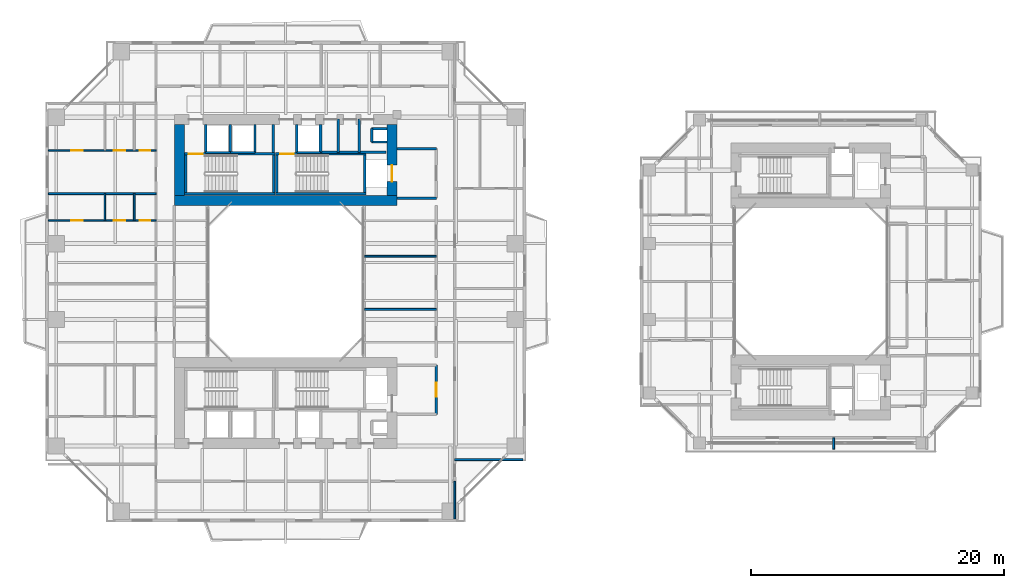
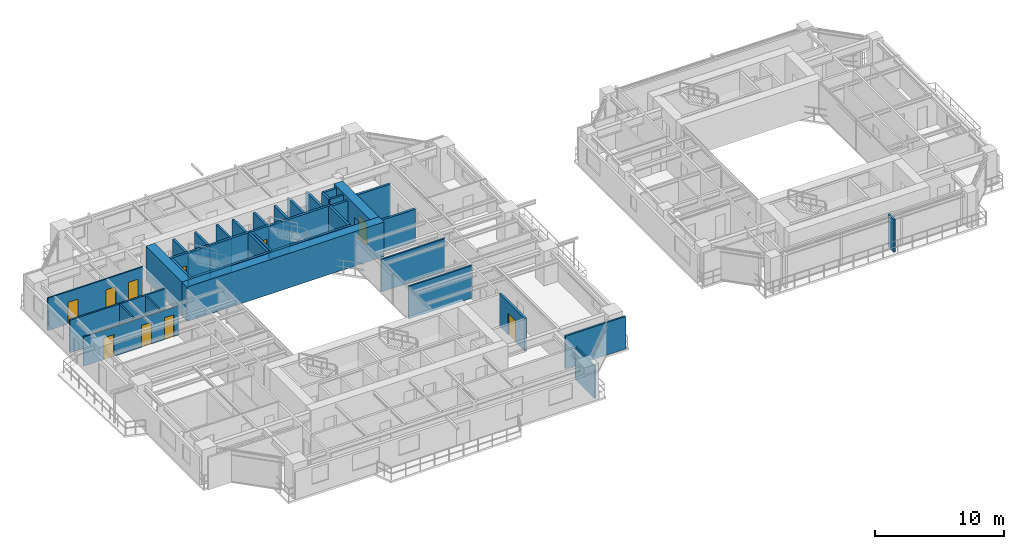
# One storey, part 14 of 23: 39 walls, 10 doors, 10 openings.
"""IFC4 building model written with IfcOpenShell, lengths in metres."""

from ifc_helpers import new_model, si_unit, direction, frame, frame_2d, origin, place, context, subcontext, project, spatial, rectangle, extrude, source, transform, mapped, material, layer, layer_set, type_object, element, fill, save


model = new_model("IFC4")

# Units and contexts
model_context = context("Model", 3, precision=1e-05, world=origin(), true_north=direction((0.0, 1.0)))
body_context = subcontext(model_context, "Body", "Model", "MODEL_VIEW")
ifc_project = project(units=[si_unit("LENGTHUNIT", "METRE"), si_unit("AREAUNIT", "SQUARE_METRE"), si_unit("VOLUMEUNIT", "CUBIC_METRE"), si_unit("PLANEANGLEUNIT", "RADIAN"), si_unit("MASSUNIT", "GRAM", prefix="KILO"), si_unit("THERMODYNAMICTEMPERATUREUNIT", "KELVIN"), si_unit("POWERUNIT", "WATT")], contexts=[model_context])

# Site, building, storey
site_placement = place(None, origin())
site = spatial("IfcSite", under=ifc_project, at=site_placement, CompositionType="ELEMENT")
building_placement = place(site_placement, origin())
building = spatial("IfcBuilding", under=site, at=building_placement, Name="Qiaomeng Ring Towers", CompositionType="ELEMENT")
storey_placement = place(building_placement, frame((0.0, 0.0, 60.0)))
storey = spatial("IfcBuildingStorey", under=building, at=storey_placement, Name="L16", CompositionType="ELEMENT", Elevation=60.0)

# Walls
ifc_material_1 = material(Name="Autoclaved aerated concrete block", Category="concrete")
ifc_layer_1 = layer(ifc_material_1, 0.199951171875, Name="Autoclaved aerated concrete block")
ifc_layer_set_1 = layer_set([ifc_layer_1], Name="Autoclaved aerated concrete block")
wall_type_1 = type_object("IfcWallType", Name="ARC-WL-PW1", PredefinedType="PARTITIONING", material=ifc_layer_set_1)
for number, where, z_axis, x_axis, name in (
    (1, (27.800048828125, 29.60009765625, 0.0), (0.0, 0.0, 1.0), (1.0, 0.0, 0.0), "L16 Interior Wall PW1"),
    (2, (27.800048828125, 33.5, 0.0), (0.0, 0.0, 1.0), (1.0, 0.0, 0.0), "L16 Interior Wall PW1"),
):
    element("IfcWall", number, at=place(storey_placement, frame(where, z_axis=z_axis, x_axis=x_axis)), inside=storey, type_object=wall_type_1, Name=name, PredefinedType="PARTITIONING", context=body_context, shape_type="SweptSolid", body=[
        extrude(rectangle(XDim=3.099853515625, YDim=0.199951171875, at=frame_2d((1.5498046875, 0.0))), origin(), (0.0, 0.0, 1.0), 3.070068359375),
    ])

# Wall, opening, door
wall_1_placement = place(storey_placement, frame((30.89990234375, 12.5, 0.0), z_axis=(0.0, 0.0, 1.0), x_axis=(0.0, 1.0, 0.0)))
wall_1 = element("IfcWall", 3, at=wall_1_placement, inside=storey, type_object=wall_type_1, Name="L16 Interior Wall PW1", PredefinedType="PARTITIONING", context=body_context, shape_type="SweptSolid", body=[
    extrude(rectangle(XDim=3.89990234375, YDim=0.199951171875, at=frame_2d((1.949951171875, 0.0))), origin(), (0.0, 0.0, 1.0), 3.070068359375),
])
opening_1_placement = place(wall_1_placement, frame((1.39990234375, 0.0, 0.0)))
opening_1 = element("IfcOpeningElement", 4, at=opening_1_placement, cuts=wall_1, Name="Opening FD3", PredefinedType="OPENING", context=body_context, shape_type="SweptSolid", body=[
    extrude(rectangle(XDim=1.10009765625, YDim=2.050048828125, at=frame_2d((0.550048828125, 1.02490234375))), frame((0.0, 0.10986328125, 0.0), z_axis=(0.0, -1.0, 0.0), x_axis=(1.0, 0.0, 0.0)), (0.0, 0.0, 1.0), 0.219970703125),
])
ifc_material_2 = material(Name="Galvanised steel", Category="steel")
door_type_1 = type_object("IfcDoorType", Name="ARC-DR-FD3", OperationType="NOTDEFINED", PredefinedType="DOOR", material=ifc_material_2)
shared_shape_1 = source(origin(), body_context, "Body", "SweptSolid", [
    extrude(rectangle(XDim=1.10009765625, YDim=2.050048828125, at=frame_2d((0.550048828125, 1.02490234375))), frame((0.0, 0.02490234375, 0.0), z_axis=(0.0, -1.0, 0.0), x_axis=(1.0, 0.0, 0.0)), (0.0, 0.0, 1.0), 0.050048828125),
])
door_1_placement = place(opening_1_placement, origin())
door_1 = element("IfcDoor", 5, at=door_1_placement, inside=storey, type_object=door_type_1, Name="L16 South FF Lobby Door", OperationType="SINGLE_SWING_LEFT", OverallHeight=2.050048828125, OverallWidth=1.10009765625, PredefinedType="DOOR", context=body_context, shape_type="MappedRepresentation", body=[
    mapped(shared_shape_1, transform((0.0, 0.0, 0.0), x_axis=(1.0, 0.0, 0.0), y_axis=(0.0, 1.0, 0.0), z_axis=(0.0, 0.0, 1.0), scale=1.0)),
])
fill(opening_1, door_1)

# Walls
for number, where, z_axis, x_axis, name in (
    (6, (12.679931640625, 33.18994140625, 0.0), (0.0, 0.0, 1.0), (0.0, 1.0, 0.0), "L16 Interior Wall PW1"),
    (7, (18.0, 33.18994140625, 0.0), (0.0, 0.0, 1.0), (0.0, 1.0, 0.0), "L16 Interior Wall PW1"),
    (8, (19.8798828125, 33.18994140625, 0.0), (0.0, 0.0, 1.0), (0.0, 1.0, 0.0), "L16 Interior Wall PW1"),
):
    element("IfcWall", number, at=place(storey_placement, frame(where, z_axis=z_axis, x_axis=x_axis)), inside=storey, type_object=wall_type_1, Name=name, PredefinedType="PARTITIONING", context=body_context, shape_type="SweptSolid", body=[
        extrude(rectangle(XDim=2.2099609375, YDim=0.199951171875, at=frame_2d((1.10498046875, 0.0))), origin(), (0.0, 0.0, 1.0), 3.070068359375),
    ])
wall_2_placement = place(storey_placement, frame((24.820068359375, 33.199951171875, 0.0), z_axis=(0.0, 0.0, 1.0), x_axis=(0.0, 1.0, 0.0)))
element("IfcWall", 9, at=wall_2_placement, inside=storey, type_object=wall_type_1, Name="L16 Interior Wall PW1", PredefinedType="PARTITIONING", context=body_context, shape_type="SweptSolid", body=[
    extrude(rectangle(XDim=2.650146484375, YDim=0.199951171875, at=frame_2d((1.3251953125, 0.0))), origin(), (0.0, 0.0, 1.0), 3.070068359375),
])
wall_3_placement = place(storey_placement, frame((21.75, 33.199951171875, 0.0), z_axis=(0.0, 0.0, 1.0), x_axis=(0.0, 1.0, 0.0)))
element("IfcWall", 10, at=wall_3_placement, inside=storey, type_object=wall_type_1, Name="L16 Interior Wall PW1", PredefinedType="PARTITIONING", context=body_context, shape_type="SweptSolid", body=[
    extrude(rectangle(XDim=2.199951171875, YDim=0.199951171875, at=frame_2d((1.10009765625, 0.0))), origin(), (0.0, 0.0, 1.0), 3.070068359375),
])
wall_4_placement = place(storey_placement, frame((23.169921875, 33.199951171875, 0.0), z_axis=(0.0, 0.0, 1.0), x_axis=(0.0, 1.0, 0.0)))
element("IfcWall", 11, at=wall_4_placement, inside=storey, type_object=wall_type_1, Name="L16 Interior Wall PW1", PredefinedType="PARTITIONING", context=body_context, shape_type="SweptSolid", body=[
    extrude(rectangle(XDim=2.650146484375, YDim=0.199951171875, at=frame_2d((1.3251953125, 0.0))), origin(), (0.0, 0.0, 1.0), 3.070068359375),
])
wall_5_placement = place(storey_placement, frame((21.75, 33.199951171875, 0.0), z_axis=(0.0, 0.0, 1.0), x_axis=(1.0, 0.0, 0.0)))
element("IfcWall", 12, at=wall_5_placement, inside=storey, type_object=wall_type_1, Name="L16 Interior Wall PW1", PredefinedType="PARTITIONING", context=body_context, shape_type="SweptSolid", body=[
    extrude(rectangle(XDim=5.169921875, YDim=0.199951171875, at=frame_2d((2.5849609375, 0.0))), origin(), (0.0, 0.0, 1.0), 3.070068359375),
])
ifc_material_3 = material(Name="Gypsum fireboard steel-stud partition", Category="steel")
ifc_layer_2 = layer(ifc_material_3, 0.14990234375, Name="Gypsum fireboard steel-stud partition")
ifc_layer_set_2 = layer_set([ifc_layer_2], Name="Gypsum fireboard steel-stud partition")
wall_type_2 = type_object("IfcWallType", Name="ARC-WL-PW3", PredefinedType="PARTITIONING", material=ifc_layer_set_2)
wall_6_placement = place(storey_placement, frame((32.360107421875, 4.25, 0.0), z_axis=(0.0, 0.0, 1.0), x_axis=(0.0, 1.0, 0.0)))
element("IfcWall", 13, at=wall_6_placement, inside=storey, type_object=wall_type_2, Name="L16 Interior Wall PW3", PredefinedType="PARTITIONING", context=body_context, shape_type="SweptSolid", body=[
    extrude(rectangle(XDim=2.9599609375, YDim=0.14990234375, at=frame_2d((1.47998046875, 0.0))), origin(), (0.0, 0.0, 1.0), 3.070068359375),
])
wall_7_placement = place(storey_placement, frame((0.25, 29.949951171875, 0.0), z_axis=(0.0, 0.0, 1.0), x_axis=(1.0, 0.0, 0.0)))
element("IfcWall", 14, at=wall_7_placement, inside=storey, type_object=wall_type_2, Name="L16 Interior Wall PW3", PredefinedType="PARTITIONING", context=body_context, shape_type="SweptSolid", body=[
    extrude(rectangle(XDim=8.5, YDim=0.14990234375, at=frame_2d((4.25, 0.0))), origin(), (0.0, 0.0, 1.0), 3.070068359375),
])
wall_8_placement = place(storey_placement, frame((32.360107421875, 8.919921875, 0.0), z_axis=(0.0, 0.0, 1.0), x_axis=(1.0, 0.0, 0.0)))
element("IfcWall", 15, at=wall_8_placement, inside=storey, type_object=wall_type_2, Name="L16 Interior Wall PW3", PredefinedType="PARTITIONING", context=body_context, shape_type="SweptSolid", body=[
    extrude(rectangle(XDim=5.389892578125, YDim=0.14990234375, at=frame_2d((2.69482421875, 0.0))), origin(), (0.0, 0.0, 1.0), 3.070068359375),
])
for number, where, z_axis, x_axis, name in (
    (16, (25.219970703125, 20.800048828125, 0.0), (0.0, 0.0, 1.0), (1.0, 0.0, 0.0), "L16 Interior Wall PW3"),
    (17, (25.219970703125, 25.0, 0.0), (0.0, 0.0, 1.0), (1.0, 0.0, 0.0), "L16 Interior Wall PW3"),
):
    element("IfcWall", number, at=place(storey_placement, frame(where, z_axis=z_axis, x_axis=x_axis)), inside=storey, type_object=wall_type_2, Name=name, PredefinedType="PARTITIONING", context=body_context, shape_type="SweptSolid", body=[
        extrude(rectangle(XDim=5.679931640625, YDim=0.14990234375, at=frame_2d((2.83984375, 0.0))), origin(), (0.0, 0.0, 1.0), 3.070068359375),
    ])
wall_9_placement = place(storey_placement, frame((62.300048828125, 9.75, 0.0), z_axis=(0.0, 0.0, 1.0), x_axis=(0.0, 1.0, 0.0)))
element("IfcWall", 18, at=wall_9_placement, inside=storey, type_object=wall_type_2, Name="L16 Interior Wall PW3", PredefinedType="PARTITIONING", context=body_context, shape_type="SweptSolid", body=[
    extrude(rectangle(XDim=0.89990234375, YDim=0.14990234375, at=frame_2d((0.449951171875, 0.0))), origin(), (0.0, 0.0, 1.0), 3.070068359375),
])

# Wall, openings, doors
ifc_material_4 = material(Name="Moisture-resistant gypsum steel-stud partition", Category="steel")
ifc_layer_3 = layer(ifc_material_4, 0.1201171875, Name="Moisture-resistant gypsum steel-stud partition")
ifc_layer_set_3 = layer_set([ifc_layer_3], Name="Moisture-resistant gypsum steel-stud partition")
wall_type_3 = type_object("IfcWallType", Name="ARC-WL-PW4", PredefinedType="PLUMBINGWALL", material=ifc_layer_set_3)
wall_10_placement = place(storey_placement, frame((0.25, 27.830078125, 0.0), z_axis=(0.0, 0.0, 1.0), x_axis=(1.0, 0.0, 0.0)))
wall_10 = element("IfcWall", 19, at=wall_10_placement, inside=storey, type_object=wall_type_3, Name="L16 Interior Wall PW4", PredefinedType="PLUMBINGWALL", context=body_context, shape_type="SweptSolid", body=[
    extrude(rectangle(XDim=8.5, YDim=0.1201171875, at=frame_2d((4.25, 0.0))), origin(), (0.0, 0.0, 1.0), 2.764892578125),
])
opening_2_placement = place(wall_10_placement, frame((1.7900390625, 0.0, 0.0)))
opening_2 = element("IfcOpeningElement", 20, at=opening_2_placement, cuts=wall_10, Name="Opening ID1", PredefinedType="OPENING", context=body_context, shape_type="SweptSolid", body=[
    extrude(rectangle(XDim=0.89990234375, YDim=2.050048828125, at=frame_2d((0.449951171875, 1.02490234375))), frame((0.0, 0.070068359375, 0.0), z_axis=(0.0, -1.0, 0.0), x_axis=(1.0, 0.0, 0.0)), (0.0, 0.0, 1.0), 0.14013671875),
])
opening_3_placement = place(wall_10_placement, frame((5.169921875, 0.0, 0.0)))
opening_3 = element("IfcOpeningElement", 21, at=opening_3_placement, cuts=wall_10, Name="Opening ID1", PredefinedType="OPENING", context=body_context, shape_type="SweptSolid", body=[
    extrude(rectangle(XDim=0.89990234375, YDim=2.050048828125, at=frame_2d((0.449951171875, 1.02490234375))), frame((0.0, 0.070068359375, 0.0), z_axis=(0.0, -1.0, 0.0), x_axis=(1.0, 0.0, 0.0)), (0.0, 0.0, 1.0), 0.14013671875),
])
opening_4_placement = place(wall_10_placement, frame((7.205078125, 0.0, 0.0)))
opening_4 = element("IfcOpeningElement", 22, at=opening_4_placement, cuts=wall_10, Name="Opening ID2", PredefinedType="OPENING", context=body_context, shape_type="SweptSolid", body=[
    extrude(rectangle(XDim=0.85009765625, YDim=2.050048828125, at=frame_2d((0.425048828125, 1.02490234375))), frame((0.0, 0.070068359375, 0.0), z_axis=(0.0, -1.0, 0.0), x_axis=(1.0, 0.0, 0.0)), (0.0, 0.0, 1.0), 0.14013671875),
])
ifc_material_5 = material(Name="Moisture-resistant engineered timber", Category="wood")
door_type_2 = type_object("IfcDoorType", Name="ARC-DR-ID2", OperationType="NOTDEFINED", PredefinedType="DOOR", material=ifc_material_5)
shared_shape_2 = source(origin(), body_context, "Body", "SweptSolid", [
    extrude(rectangle(XDim=0.85009765625, YDim=2.050048828125, at=frame_2d((0.425048828125, 1.02490234375))), frame((0.0, 0.02490234375, 0.0), z_axis=(0.0, -1.0, 0.0), x_axis=(1.0, 0.0, 0.0)), (0.0, 0.0, 1.0), 0.050048828125),
])
door_2_placement = place(opening_4_placement, origin())
door_2 = element("IfcDoor", 23, at=door_2_placement, inside=storey, type_object=door_type_2, Name="L16 Door ID2", OperationType="SINGLE_SWING_RIGHT", OverallHeight=2.050048828125, OverallWidth=0.85009765625, PredefinedType="DOOR", context=body_context, shape_type="MappedRepresentation", body=[
    mapped(shared_shape_2, transform((0.0, 0.0, 0.0), x_axis=(1.0, 0.0, 0.0), y_axis=(0.0, 1.0, 0.0), z_axis=(0.0, 0.0, 1.0), scale=1.0)),
])
fill(opening_4, door_2)
ifc_material_6 = material(Name="Engineered oak timber", Category="wood")
door_type_3 = type_object("IfcDoorType", Name="ARC-DR-ID1", OperationType="NOTDEFINED", PredefinedType="DOOR", material=ifc_material_6)
shared_shape_3 = source(origin(), body_context, "Body", "SweptSolid", [
    extrude(rectangle(XDim=0.89990234375, YDim=2.050048828125, at=frame_2d((0.449951171875, 1.02490234375))), frame((0.0, 0.02490234375, 0.0), z_axis=(0.0, -1.0, 0.0), x_axis=(1.0, 0.0, 0.0)), (0.0, 0.0, 1.0), 0.050048828125),
])
door_3_placement = place(opening_2_placement, origin())
door_3 = element("IfcDoor", 24, at=door_3_placement, inside=storey, type_object=door_type_3, Name="L16 Door ID1", OperationType="SINGLE_SWING_RIGHT", OverallHeight=2.050048828125, OverallWidth=0.89990234375, PredefinedType="DOOR", context=body_context, shape_type="MappedRepresentation", body=[
    mapped(shared_shape_3, transform((0.0, 0.0, 0.0), x_axis=(1.0, 0.0, 0.0), y_axis=(0.0, 1.0, 0.0), z_axis=(0.0, 0.0, 1.0), scale=1.0)),
])
fill(opening_2, door_3)
door_4_placement = place(opening_3_placement, origin())
door_4 = element("IfcDoor", 25, at=door_4_placement, inside=storey, type_object=door_type_3, Name="L16 Door ID1", OperationType="SINGLE_SWING_LEFT", OverallHeight=2.050048828125, OverallWidth=0.89990234375, PredefinedType="DOOR", context=body_context, shape_type="MappedRepresentation", body=[
    mapped(shared_shape_3, transform((0.0, 0.0, 0.0), x_axis=(1.0, 0.0, 0.0), y_axis=(0.0, 1.0, 0.0), z_axis=(0.0, 0.0, 1.0), scale=1.0)),
])
fill(opening_3, door_4)

# Walls
for number, where, z_axis, x_axis, name in (
    (26, (4.7099609375, 27.830078125, 0.0), (0.0, 0.0, 1.0), (0.0, 1.0, 0.0), "L16 Interior Wall PW4"),
    (27, (7.030029296875, 27.830078125, 0.0), (0.0, 0.0, 1.0), (0.0, 1.0, 0.0), "L16 Interior Wall PW4"),
):
    element("IfcWall", number, at=place(storey_placement, frame(where, z_axis=z_axis, x_axis=x_axis)), inside=storey, type_object=wall_type_3, Name=name, PredefinedType="PLUMBINGWALL", context=body_context, shape_type="SweptSolid", body=[
        extrude(rectangle(XDim=2.119873046875, YDim=0.1201171875, at=frame_2d((1.06005859375, 0.0))), origin(), (0.0, 0.0, 1.0), 3.070068359375),
    ])

# Wall, openings, doors
wall_11_placement = place(storey_placement, frame((0.25, 33.3701171875, 0.0), z_axis=(0.0, 0.0, 1.0), x_axis=(1.0, 0.0, 0.0)))
wall_11 = element("IfcWall", 28, at=wall_11_placement, inside=storey, type_object=wall_type_3, Name="L16 Interior Wall PW4", PredefinedType="PLUMBINGWALL", context=body_context, shape_type="SweptSolid", body=[
    extrude(rectangle(XDim=8.5, YDim=0.1201171875, at=frame_2d((4.25, 0.0))), origin(), (0.0, 0.0, 1.0), 3.070068359375),
])
opening_5_placement = place(wall_11_placement, frame((1.7900390625, 0.0, 0.0)))
opening_5 = element("IfcOpeningElement", 29, at=opening_5_placement, cuts=wall_11, Name="Opening ID1", PredefinedType="OPENING", context=body_context, shape_type="SweptSolid", body=[
    extrude(rectangle(XDim=0.89990234375, YDim=2.050048828125, at=frame_2d((0.449951171875, 1.02490234375))), frame((0.0, 0.070068359375, 0.0), z_axis=(0.0, -1.0, 0.0), x_axis=(1.0, 0.0, 0.0)), (0.0, 0.0, 1.0), 0.14013671875),
])
opening_6_placement = place(wall_11_placement, frame((5.169921875, 0.0, 0.0)))
opening_6 = element("IfcOpeningElement", 30, at=opening_6_placement, cuts=wall_11, Name="Opening ID1", PredefinedType="OPENING", context=body_context, shape_type="SweptSolid", body=[
    extrude(rectangle(XDim=0.89990234375, YDim=2.050048828125, at=frame_2d((0.449951171875, 1.02490234375))), frame((0.0, 0.070068359375, 0.0), z_axis=(0.0, -1.0, 0.0), x_axis=(1.0, 0.0, 0.0)), (0.0, 0.0, 1.0), 0.14013671875),
])
opening_7_placement = place(wall_11_placement, frame((7.205078125, 0.0, 0.0)))
opening_7 = element("IfcOpeningElement", 31, at=opening_7_placement, cuts=wall_11, Name="Opening ID2", PredefinedType="OPENING", context=body_context, shape_type="SweptSolid", body=[
    extrude(rectangle(XDim=0.85009765625, YDim=2.050048828125, at=frame_2d((0.425048828125, 1.02490234375))), frame((0.0, 0.070068359375, 0.0), z_axis=(0.0, -1.0, 0.0), x_axis=(1.0, 0.0, 0.0)), (0.0, 0.0, 1.0), 0.14013671875),
])
door_5_placement = place(opening_7_placement, origin())
door_5 = element("IfcDoor", 32, at=door_5_placement, inside=storey, type_object=door_type_2, Name="L16 Door ID2", OperationType="SINGLE_SWING_RIGHT", OverallHeight=2.050048828125, OverallWidth=0.85009765625, PredefinedType="DOOR", context=body_context, shape_type="MappedRepresentation", body=[
    mapped(shared_shape_2, transform((0.0, 0.0, 0.0), x_axis=(1.0, 0.0, 0.0), y_axis=(0.0, 1.0, 0.0), z_axis=(0.0, 0.0, 1.0), scale=1.0)),
])
fill(opening_7, door_5)
door_6_placement = place(opening_5_placement, origin())
door_6 = element("IfcDoor", 33, at=door_6_placement, inside=storey, type_object=door_type_3, Name="L16 Door ID1", OperationType="SINGLE_SWING_RIGHT", OverallHeight=2.050048828125, OverallWidth=0.89990234375, PredefinedType="DOOR", context=body_context, shape_type="MappedRepresentation", body=[
    mapped(shared_shape_3, transform((0.0, 0.0, 0.0), x_axis=(1.0, 0.0, 0.0), y_axis=(0.0, 1.0, 0.0), z_axis=(0.0, 0.0, 1.0), scale=1.0)),
])
fill(opening_5, door_6)
door_7_placement = place(opening_6_placement, origin())
door_7 = element("IfcDoor", 34, at=door_7_placement, inside=storey, type_object=door_type_3, Name="L16 Door ID1", OperationType="SINGLE_SWING_LEFT", OverallHeight=2.050048828125, OverallWidth=0.89990234375, PredefinedType="DOOR", context=body_context, shape_type="MappedRepresentation", body=[
    mapped(shared_shape_3, transform((0.0, 0.0, 0.0), x_axis=(1.0, 0.0, 0.0), y_axis=(0.0, 1.0, 0.0), z_axis=(0.0, 0.0, 1.0), scale=1.0)),
])
fill(opening_6, door_7)

# Walls
ifc_material_7 = material(Name="Concrete C40", Category="concrete")
ifc_layer_4 = layer(ifc_material_7, 0.199951171875, Name="Concrete C40")
ifc_layer_set_4 = layer_set([ifc_layer_4], Name="Concrete C40")
wall_type_4 = type_object("IfcWallType", Name="STR-WL-STSHAFT", PredefinedType="SHEAR", material=ifc_layer_set_4)
wall_12_placement = place(storey_placement, frame((12.679931640625, 33.199951171875, 0.0), z_axis=(0.0, 0.0, 1.0), x_axis=(1.0, 0.0, 0.0)))
element("IfcWall", 35, at=wall_12_placement, inside=storey, type_object=wall_type_4, Name="L16 Lift LP5 Shaft Back Wall", PredefinedType="SHEAR", context=body_context, shape_type="SweptSolid", body=[
    extrude(rectangle(XDim=1.940185546875, YDim=0.179931640625, at=frame_2d((0.97021484375, 0.0))), origin(), (0.0, 0.0, 1.0), 3.070068359375),
])
wall_13_placement = place(storey_placement, frame((14.6201171875, 33.199951171875, 0.0), z_axis=(0.0, 0.0, 1.0), x_axis=(0.0, 1.0, 0.0)))
element("IfcWall", 36, at=wall_13_placement, inside=storey, type_object=wall_type_4, Name="L16 Lift LP5-LP3 Shaft Divider Wall", PredefinedType="SHEAR", context=body_context, shape_type="SweptSolid", body=[
    extrude(rectangle(XDim=2.199951171875, YDim=0.179931640625, at=frame_2d((1.10009765625, 0.0))), origin(), (0.0, 0.0, 1.0), 3.070068359375),
])
wall_14_placement = place(storey_placement, frame((25.800048828125, 34.02001953125, 0.0), z_axis=(0.0, 0.0, 1.0), x_axis=(0.0, 1.0, 0.0)))
element("IfcWall", 37, at=wall_14_placement, inside=storey, type_object=wall_type_4, Name="L16 Riser RSR1 West Shaft Wall N", PredefinedType="SHEAR", context=body_context, shape_type="SweptSolid", body=[
    extrude(rectangle(XDim=1.06005859375, YDim=0.179931640625, at=frame_2d((0.530029296875, 0.0))), origin(), (0.0, 0.0, 1.0), 3.070068359375),
])
for number, where, z_axis, x_axis, name in (
    (38, (25.800048828125, 35.080078125, 0.0), (0.0, 0.0, 1.0), (1.0, 0.0, 0.0), "L16 Riser RSR1 North Shaft Wall N"),
    (39, (25.800048828125, 34.02001953125, 0.0), (0.0, 0.0, 1.0), (1.0, 0.0, 0.0), "L16 Riser RSR1 South Shaft Wall N"),
):
    element("IfcWall", number, at=place(storey_placement, frame(where, z_axis=z_axis, x_axis=x_axis)), inside=storey, type_object=wall_type_4, Name=name, PredefinedType="SHEAR", context=body_context, shape_type="SweptSolid", body=[
        extrude(rectangle(XDim=1.199951171875, YDim=0.179931640625, at=frame_2d((0.60009765625, 0.0))), origin(), (0.0, 0.0, 1.0), 3.070068359375),
    ])
wall_15_placement = place(storey_placement, frame((14.6201171875, 33.199951171875, 0.0), z_axis=(0.0, 0.0, 1.0), x_axis=(1.0, 0.0, 0.0)))
element("IfcWall", 40, at=wall_15_placement, inside=storey, type_object=wall_type_4, Name="L16 Lift LP3 Shaft Back Wall", PredefinedType="SHEAR", context=body_context, shape_type="SweptSolid", body=[
    extrude(rectangle(XDim=1.9599609375, YDim=0.179931640625, at=frame_2d((0.97998046875, 0.0))), origin(), (0.0, 0.0, 1.0), 3.070068359375),
])
wall_16_placement = place(storey_placement, frame((16.580078125, 33.199951171875, 0.0), z_axis=(0.0, 0.0, 1.0), x_axis=(0.0, 1.0, 0.0)))
element("IfcWall", 41, at=wall_16_placement, inside=storey, type_object=wall_type_4, Name="L16 Lift LP3 East Shaft Wall", PredefinedType="SHEAR", context=body_context, shape_type="SweptSolid", body=[
    extrude(rectangle(XDim=2.199951171875, YDim=0.179931640625, at=frame_2d((1.10009765625, 0.0))), origin(), (0.0, 0.0, 1.0), 3.070068359375),
])
wall_17_placement = place(storey_placement, frame((19.8798828125, 33.199951171875, 0.0), z_axis=(0.0, 0.0, 1.0), x_axis=(1.0, 0.0, 0.0)))
element("IfcWall", 42, at=wall_17_placement, inside=storey, type_object=wall_type_4, Name="L16 Lift LP1 Shaft Back Wall", PredefinedType="SHEAR", context=body_context, shape_type="SweptSolid", body=[
    extrude(rectangle(XDim=1.8701171875, YDim=0.179931640625, at=frame_2d((0.93505859375, 0.0))), origin(), (0.0, 0.0, 1.0), 3.070068359375),
])
wall_18_placement = place(storey_placement, frame((11.0, 29.949951171875, 0.0), z_axis=(0.0, 0.0, 1.0), x_axis=(1.0, 0.0, 0.0)))
element("IfcWall", 43, at=wall_18_placement, inside=storey, type_object=wall_type_4, Name="L16 Stair ST1 South Shaft Shear Wall", PredefinedType="SHEAR", context=body_context, shape_type="SweptSolid", body=[
    extrude(rectangle(XDim=7.14990234375, YDim=0.199951171875, at=frame_2d((3.574951171875, 0.0))), origin(), (0.0, 0.0, 1.0), 3.25),
])

# Wall, opening, door
wall_19_placement = place(storey_placement, frame((11.0, 33.090087890625, 0.0), z_axis=(0.0, 0.0, 1.0), x_axis=(1.0, 0.0, 0.0)))
wall_19 = element("IfcWall", 44, at=wall_19_placement, inside=storey, type_object=wall_type_4, Name="L16 Stair ST1 North Shaft Shear Wall", PredefinedType="SHEAR", context=body_context, shape_type="SweptSolid", body=[
    extrude(rectangle(XDim=7.14990234375, YDim=0.199951171875, at=frame_2d((3.574951171875, 0.0))), origin(), (0.0, 0.0, 1.0), 3.25),
])
opening_8_placement = place(wall_19_placement, frame((0.35009765625, 0.0, 0.0)))
opening_8 = element("IfcOpeningElement", 45, at=opening_8_placement, cuts=wall_19, Name="Opening FD3", PredefinedType="OPENING", context=body_context, shape_type="SweptSolid", body=[
    extrude(rectangle(XDim=1.10009765625, YDim=2.050048828125, at=frame_2d((0.550048828125, 1.02490234375))), frame((0.0, 0.10986328125, 0.0), z_axis=(0.0, -1.0, 0.0), x_axis=(1.0, 0.0, 0.0)), (0.0, 0.0, 1.0), 0.219970703125),
])
door_8_placement = place(opening_8_placement, origin())
door_8 = element("IfcDoor", 46, at=door_8_placement, inside=storey, type_object=door_type_1, Name="L16 Stair ST1 Exit Door", OperationType="SINGLE_SWING_LEFT", OverallHeight=2.050048828125, OverallWidth=1.10009765625, PredefinedType="DOOR", context=body_context, shape_type="MappedRepresentation", body=[
    mapped(shared_shape_1, transform((0.0, 0.0, 0.0), x_axis=(1.0, 0.0, 0.0), y_axis=(0.0, 1.0, 0.0), z_axis=(0.0, 0.0, 1.0), scale=1.0)),
])
fill(opening_8, door_8)

# Walls
for number, where, z_axis, x_axis, name in (
    (47, (11.10009765625, 30.050048828125, 0.0), (0.0, 0.0, 1.0), (0.0, 1.0, 0.0), "L16 Stair ST1 West Shaft Shear Wall"),
    (48, (18.050048828125, 30.050048828125, 0.0), (0.0, 0.0, 1.0), (0.0, 1.0, 0.0), "L16 Stair ST1 East Shaft Shear Wall"),
):
    element("IfcWall", number, at=place(storey_placement, frame(where, z_axis=z_axis, x_axis=x_axis)), inside=storey, type_object=wall_type_4, Name=name, PredefinedType="SHEAR", context=body_context, shape_type="SweptSolid", body=[
        extrude(rectangle(XDim=2.93994140625, YDim=0.199951171875, at=frame_2d((1.469970703125, 0.0))), origin(), (0.0, 0.0, 1.0), 3.25),
    ])
wall_20_placement = place(storey_placement, frame((18.199951171875, 29.949951171875, 0.0), z_axis=(0.0, 0.0, 1.0), x_axis=(1.0, 0.0, 0.0)))
element("IfcWall", 49, at=wall_20_placement, inside=storey, type_object=wall_type_4, Name="L16 Stair ST2 South Shaft Shear Wall", PredefinedType="SHEAR", context=body_context, shape_type="SweptSolid", body=[
    extrude(rectangle(XDim=7.150146484375, YDim=0.199951171875, at=frame_2d((3.5751953125, 0.0))), origin(), (0.0, 0.0, 1.0), 3.25),
])

# Wall, opening, door
wall_21_placement = place(storey_placement, frame((18.199951171875, 33.090087890625, 0.0), z_axis=(0.0, 0.0, 1.0), x_axis=(1.0, 0.0, 0.0)))
wall_21 = element("IfcWall", 50, at=wall_21_placement, inside=storey, type_object=wall_type_4, Name="L16 Stair ST2 North Shaft Shear Wall", PredefinedType="SHEAR", context=body_context, shape_type="SweptSolid", body=[
    extrude(rectangle(XDim=7.150146484375, YDim=0.199951171875, at=frame_2d((3.5751953125, 0.0))), origin(), (0.0, 0.0, 1.0), 3.25),
])
opening_9_placement = place(wall_21_placement, frame((0.35009765625, 0.0, 0.0)))
opening_9 = element("IfcOpeningElement", 51, at=opening_9_placement, cuts=wall_21, Name="Opening FD3", PredefinedType="OPENING", context=body_context, shape_type="SweptSolid", body=[
    extrude(rectangle(XDim=1.10009765625, YDim=2.050048828125, at=frame_2d((0.550048828125, 1.02490234375))), frame((0.0, 0.10986328125, 0.0), z_axis=(0.0, -1.0, 0.0), x_axis=(1.0, 0.0, 0.0)), (0.0, 0.0, 1.0), 0.219970703125),
])
door_9_placement = place(opening_9_placement, origin())
door_9 = element("IfcDoor", 52, at=door_9_placement, inside=storey, type_object=door_type_1, Name="L16 Stair ST2 Exit Door", OperationType="SINGLE_SWING_LEFT", OverallHeight=2.050048828125, OverallWidth=1.10009765625, PredefinedType="DOOR", context=body_context, shape_type="MappedRepresentation", body=[
    mapped(shared_shape_1, transform((0.0, 0.0, 0.0), x_axis=(1.0, 0.0, 0.0), y_axis=(0.0, 1.0, 0.0), z_axis=(0.0, 0.0, 1.0), scale=1.0)),
])
fill(opening_9, door_9)

# Walls
for number, where, z_axis, x_axis, name in (
    (53, (18.300048828125, 30.050048828125, 0.0), (0.0, 0.0, 1.0), (0.0, 1.0, 0.0), "L16 Stair ST2 West Shaft Shear Wall"),
    (54, (25.25, 30.050048828125, 0.0), (0.0, 0.0, 1.0), (0.0, 1.0, 0.0), "L16 Stair ST2 East Shaft Shear Wall"),
):
    element("IfcWall", number, at=place(storey_placement, frame(where, z_axis=z_axis, x_axis=x_axis)), inside=storey, type_object=wall_type_4, Name=name, PredefinedType="SHEAR", context=body_context, shape_type="SweptSolid", body=[
        extrude(rectangle(XDim=2.93994140625, YDim=0.199951171875, at=frame_2d((1.469970703125, 0.0))), origin(), (0.0, 0.0, 1.0), 3.25),
    ])
ifc_material_8 = material(Name="Concrete C60", Category="concrete")
ifc_layer_5 = layer(ifc_material_8, 0.800048828125, Name="Concrete C60")
ifc_layer_set_5 = layer_set([ifc_layer_5], Name="Concrete C60")
wall_type_5 = type_object("IfcWallType", Name="STR-WL-SW1", PredefinedType="SHEAR", material=ifc_layer_set_5)
wall_22_placement = place(storey_placement, frame((10.199951171875, 29.39990234375, 0.0), z_axis=(0.0, 0.0, 1.0), x_axis=(1.0, 0.0, 0.0)))
element("IfcWall", 55, at=wall_22_placement, inside=storey, type_object=wall_type_5, Name="L16 T1NC south core shear wall", PredefinedType="SHEAR", context=body_context, shape_type="SweptSolid", body=[
    extrude(rectangle(XDim=17.60009765625, YDim=0.800048828125, at=frame_2d((8.800048828125, 0.0))), origin(), (0.0, 0.0, 1.0), 3.25),
])
wall_23_placement = place(storey_placement, frame((10.60009765625, 29.800048828125, 0.0), z_axis=(0.0, 0.0, 1.0), x_axis=(0.0, 1.0, 0.0)))
element("IfcWall", 56, at=wall_23_placement, inside=storey, type_object=wall_type_5, Name="L16 T1NC west core shear wall", PredefinedType="SHEAR", context=body_context, shape_type="SweptSolid", body=[
    extrude(rectangle(XDim=5.599853515625, YDim=0.800048828125, at=frame_2d((2.7998046875, 0.0))), origin(), (0.0, 0.0, 1.0), 3.25),
])

# Wall, opening, door
wall_24_placement = place(storey_placement, frame((27.39990234375, 29.800048828125, 0.0), z_axis=(0.0, 0.0, 1.0), x_axis=(0.0, 1.0, 0.0)))
wall_24 = element("IfcWall", 57, at=wall_24_placement, inside=storey, type_object=wall_type_5, Name="L16 T1NC east core shear wall", PredefinedType="SHEAR", context=body_context, shape_type="SweptSolid", body=[
    extrude(rectangle(XDim=5.599853515625, YDim=0.800048828125, at=frame_2d((2.7998046875, 0.0))), origin(), (0.0, 0.0, 1.0), 3.25),
])
opening_10_placement = place(wall_24_placement, frame((1.10009765625, 0.0, 0.0)))
opening_10 = element("IfcOpeningElement", 58, at=opening_10_placement, cuts=wall_24, Name="Opening LD2", PredefinedType="OPENING", context=body_context, shape_type="SweptSolid", body=[
    extrude(rectangle(XDim=1.300048828125, YDim=2.050048828125, at=frame_2d((0.64990234375, 1.02490234375))), frame((0.0, 0.409912109375, 0.0), z_axis=(0.0, -1.0, 0.0), x_axis=(1.0, 0.0, 0.0)), (0.0, 0.0, 1.0), 0.820068359375),
])
ifc_material_9 = material(Name="Stainless steel 316", Category="steel")
door_type_4 = type_object("IfcDoorType", Name="ARC-DR-LD2", OperationType="NOTDEFINED", PredefinedType="DOOR", material=ifc_material_9)
shared_shape_4 = source(origin(), body_context, "Body", "SweptSolid", [
    extrude(rectangle(XDim=1.300048828125, YDim=2.050048828125, at=frame_2d((0.64990234375, 1.02490234375))), frame((0.0, 0.02490234375, 0.0), z_axis=(0.0, -1.0, 0.0), x_axis=(1.0, 0.0, 0.0)), (0.0, 0.0, 1.0), 0.050048828125),
])
door_10_placement = place(opening_10_placement, origin())
door_10 = element("IfcDoor", 59, at=door_10_placement, inside=storey, type_object=door_type_4, Name="L16 Firefighting Lift FL1 Landing Door", OperationType="SLIDING_TO_LEFT", OverallHeight=2.050048828125, OverallWidth=1.300048828125, PredefinedType="DOOR", context=body_context, shape_type="MappedRepresentation", body=[
    mapped(shared_shape_4, transform((0.0, 0.0, 0.0), x_axis=(1.0, 0.0, 0.0), y_axis=(0.0, 1.0, 0.0), z_axis=(0.0, 0.0, 1.0), scale=1.0)),
])
fill(opening_10, door_10)

save(model, "model.ifc")
